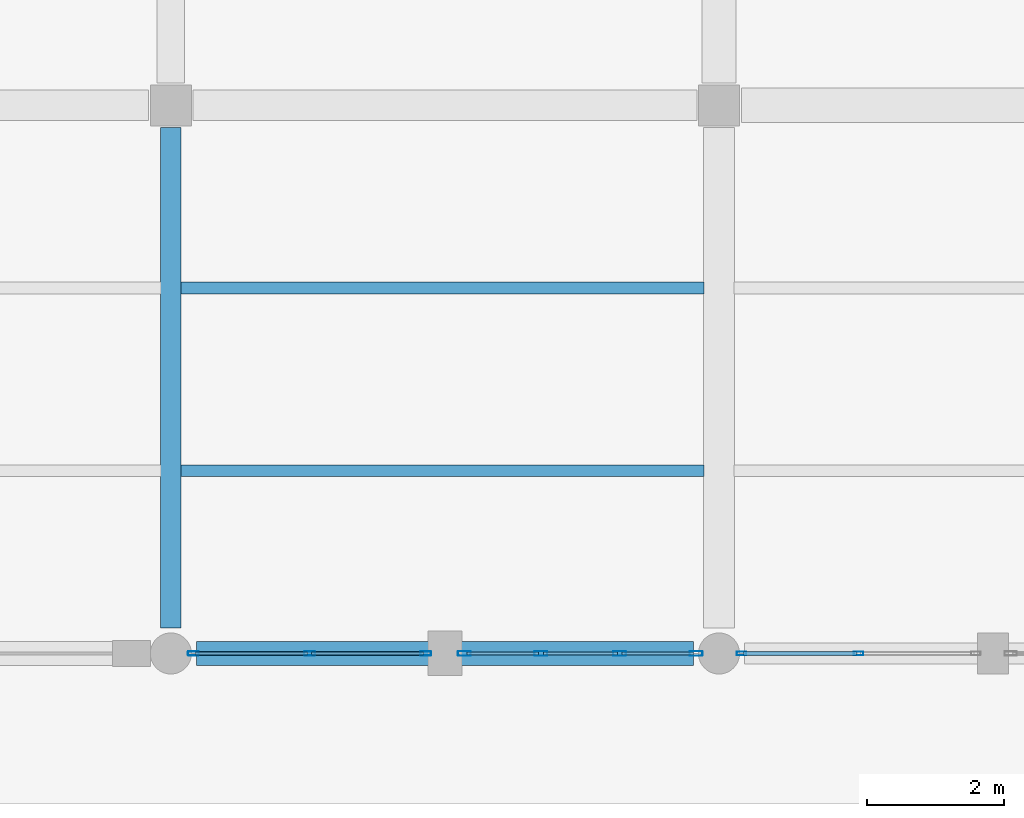
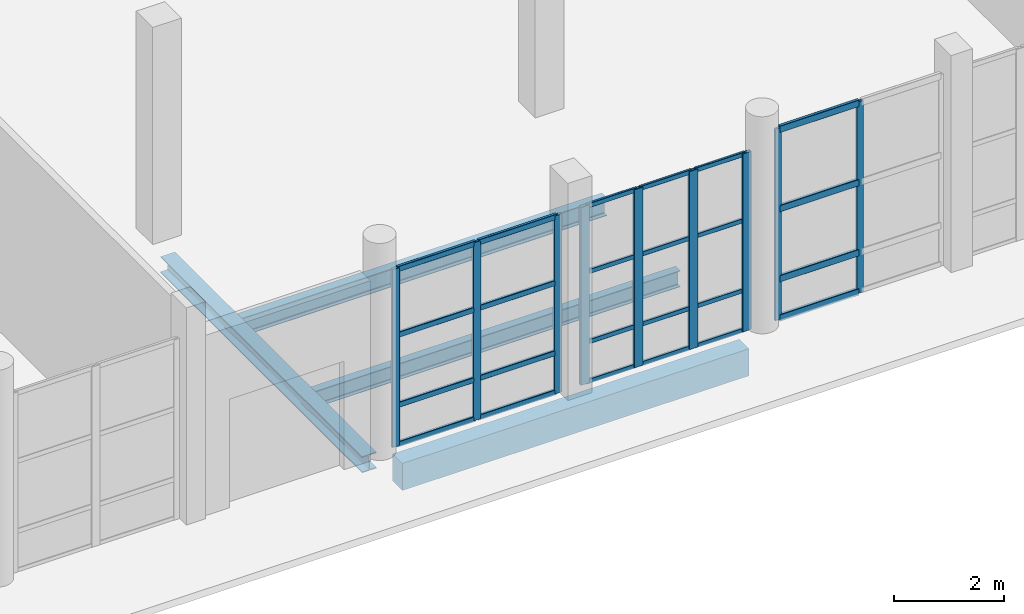
# One storey, part 61 of 156: 33 members, 4 beams, 3 elements without a shape of their own.
"""IFC4 building model written with IfcOpenShell, lengths in metres."""

from ifc_helpers import new_model, si_unit, direction, frame, origin, origin_2d, place, context, subcontext, project, spatial, rectangle, hollow_rectangle, i_section, extrude, material, material_profile, profile_set, type_object, element, aggregate, save


model = new_model("IFC4")

# Units and contexts
model_context = context("Model", 3, precision=1e-05, world=origin(), true_north=direction((0.0, 1.0)))
body_context = subcontext(model_context, "Body", "Model", "MODEL_VIEW")
ifc_project = project(units=[si_unit("LENGTHUNIT", "METRE"), si_unit("AREAUNIT", "SQUARE_METRE"), si_unit("VOLUMEUNIT", "CUBIC_METRE"), si_unit("PLANEANGLEUNIT", "RADIAN"), si_unit("MASSUNIT", "GRAM", prefix="KILO")], contexts=[model_context])

# Site, building, storey
site_placement = place(None, origin())
site = spatial("IfcSite", under=ifc_project, at=site_placement, CompositionType="ELEMENT")
building_placement = place(site_placement, origin())
building = spatial("IfcBuilding", under=site, at=building_placement, Name="Luwemba Playhouse", CompositionType="ELEMENT")
storey_placement = place(building_placement, origin())
storey = spatial("IfcBuildingStorey", under=building, at=storey_placement, Name="L00", CompositionType="ELEMENT", Elevation=0.0)

# Beams
ifc_material_1 = material(Name="Steel S355", Category="steel")
ifc_material_profile_1 = material_profile(ifc_material_1, i_section(OverallWidth=0.300048828125, OverallDepth=0.360107421875, WebThickness=0.012451171875, FlangeThickness=0.0224609375, FilletRadius=0.027099609375, at=origin_2d()))
ifc_profile_set_1 = profile_set([ifc_material_profile_1], Name="Steel S355")
beam_type_1 = type_object("IfcBeamType", Name="BM-SB09", PredefinedType="BEAM", material=ifc_profile_set_1)
beam_1_placement = place(storey_placement, frame((148.0, 3.375, -0.47998046875), z_axis=(0.0, 1.0, 0.0), x_axis=(-1.0, 0.0, 0.0)))
element("IfcBeam", 1, at=beam_1_placement, inside=storey, type_object=beam_type_1, Name="L00 transverse girder 0242", PredefinedType="BEAM", context=body_context, shape_type="SweptSolid", body=[
    extrude(i_section(OverallWidth=0.300048828125, OverallDepth=0.360107421875, WebThickness=0.012451171875, FlangeThickness=0.0224609375, FilletRadius=0.027099609375, at=origin_2d()), origin(), (0.0, 0.0, 1.0), 7.300048828125),
])
ifc_material_profile_2 = material_profile(ifc_material_1, i_section(OverallWidth=0.169921875, OverallDepth=0.360107421875, WebThickness=0.008056640625, FlangeThickness=0.0126953125, FilletRadius=0.01806640625, at=origin_2d()))
ifc_profile_set_2 = profile_set([ifc_material_profile_2], Name="Steel S355")
beam_type_2 = type_object("IfcBeamType", Name="BM-SJ07", PredefinedType="JOIST", material=ifc_profile_set_2)
beam_2_placement = place(storey_placement, frame((148.14599609375, 5.666748046875, -0.47998046875), z_axis=(1.0, 0.0, 0.0), x_axis=(0.0, 1.0, 0.0)))
element("IfcBeam", 2, at=beam_2_placement, inside=storey, type_object=beam_type_2, Name="L00 composite floor joist 0177", PredefinedType="JOIST", context=body_context, shape_type="SweptSolid", body=[
    extrude(i_section(OverallWidth=0.169921875, OverallDepth=0.360107421875, WebThickness=0.008056640625, FlangeThickness=0.0126953125, FilletRadius=0.01806640625, at=origin_2d()), origin(), (0.0, 0.0, 1.0), 7.633056640625),
])
ifc_material_profile_3 = material_profile(ifc_material_1, i_section(OverallWidth=0.179931640625, OverallDepth=0.39990234375, WebThickness=0.008544921875, FlangeThickness=0.013427734375, FilletRadius=0.02099609375, at=origin_2d()))
ifc_profile_set_3 = profile_set([ifc_material_profile_3], Name="Steel S355")
beam_type_3 = type_object("IfcBeamType", Name="BM-SJ08", PredefinedType="JOIST", material=ifc_profile_set_3)
beam_3_placement = place(storey_placement, frame((148.14599609375, 8.333251953125, -0.5), z_axis=(1.0, 0.0, 0.0), x_axis=(0.0, 1.0, 0.0)))
element("IfcBeam", 3, at=beam_3_placement, inside=storey, type_object=beam_type_3, Name="L00 composite floor joist 0178", PredefinedType="JOIST", context=body_context, shape_type="SweptSolid", body=[
    extrude(i_section(OverallWidth=0.179931640625, OverallDepth=0.39990234375, WebThickness=0.008544921875, FlangeThickness=0.013427734375, FilletRadius=0.02099609375, at=origin_2d()), origin(), (0.0, 0.0, 1.0), 7.633056640625),
])
ifc_material_2 = material(Name="Concrete C40/50", Category="concrete")
ifc_material_profile_4 = material_profile(ifc_material_2, rectangle(XDim=0.35009765625, YDim=0.60009765625, at=origin_2d()))
ifc_profile_set_4 = profile_set([ifc_material_profile_4], Name="Concrete C40/50")
beam_type_4 = type_object("IfcBeamType", Name="BM-SP3", PredefinedType="SPANDREL", material=ifc_profile_set_4)
beam_4_placement = place(storey_placement, frame((148.375, 3.0, -0.60009765625), z_axis=(1.0, 0.0, 0.0), x_axis=(0.0, 1.0, 0.0)))
element("IfcBeam", 4, at=beam_4_placement, inside=storey, type_object=beam_type_4, Name="L00 grid girder 0206", PredefinedType="SPANDREL", context=body_context, shape_type="SweptSolid", body=[
    extrude(rectangle(XDim=0.35009765625, YDim=0.60009765625, at=origin_2d()), origin(), (0.0, 0.0, 1.0), 7.25),
])

# Curtain wall, members
ifc_material_3 = material(Name="Solar-control double glazing", Category="glass")
curtain_wall_type_1 = type_object("IfcCurtainWallType", Name="CW-CW39", PredefinedType="USERDEFINED", material=ifc_material_3)
curtain_wall_1_placement = place(storey_placement, origin())
curtain_wall_1 = element("IfcCurtainWall", 5, at=curtain_wall_1_placement, inside=storey, type_object=curtain_wall_type_1, Name="L00 V5E unitised curtain wall 075", ObjectType="UNITISED GLAZING", PredefinedType="USERDEFINED")
ifc_material_4 = material(Name="Aluminium 6063-T6", Category="aluminium")
ifc_material_profile_5 = material_profile(ifc_material_4, hollow_rectangle(XDim=0.06005859375, YDim=0.159912109375, WallThickness=0.00390625, InnerFilletRadius=0.006103515625, OuterFilletRadius=0.010009765625, at=origin_2d()))
ifc_profile_set_5 = profile_set([ifc_material_profile_5], Name="Aluminium 6063-T6")
member_type_1 = type_object("IfcMemberType", Name="CWM-M1", PredefinedType="MULLION", material=ifc_profile_set_5)
member_1_placement = place(storey_placement, frame((151.719970703125, 3.0, 0.0), z_axis=(0.0, 0.0, 1.0), x_axis=(0.0, -1.0, 0.0)))
member_1 = element("IfcMember", 6, at=member_1_placement, type_object=member_type_1, Name="CW39 mullion 1", PredefinedType="MULLION", context=body_context, shape_type="SweptSolid", body=[
    extrude(hollow_rectangle(XDim=0.06005859375, YDim=0.159912109375, WallThickness=0.00390625, InnerFilletRadius=0.006103515625, OuterFilletRadius=0.010009765625, at=origin_2d()), origin(), (0.0, 0.0, 1.0), 3.93505859375),
])
member_2_placement = place(storey_placement, frame((150.02490234375, 3.0, 0.0), z_axis=(0.0, 0.0, 1.0), x_axis=(0.0, -1.0, 0.0)))
member_2 = element("IfcMember", 7, at=member_2_placement, type_object=member_type_1, Name="CW39 mullion 2", PredefinedType="MULLION", context=body_context, shape_type="SweptSolid", body=[
    extrude(hollow_rectangle(XDim=0.06005859375, YDim=0.159912109375, WallThickness=0.00390625, InnerFilletRadius=0.006103515625, OuterFilletRadius=0.010009765625, at=origin_2d()), origin(), (0.0, 0.0, 1.0), 3.93505859375),
])
member_3_placement = place(storey_placement, frame((148.330078125, 3.0, 0.0), z_axis=(0.0, 0.0, 1.0), x_axis=(0.0, -1.0, 0.0)))
member_3 = element("IfcMember", 8, at=member_3_placement, type_object=member_type_1, Name="CW39 mullion 3", PredefinedType="MULLION", context=body_context, shape_type="SweptSolid", body=[
    extrude(hollow_rectangle(XDim=0.06005859375, YDim=0.159912109375, WallThickness=0.00390625, InnerFilletRadius=0.006103515625, OuterFilletRadius=0.010009765625, at=origin_2d()), origin(), (0.0, 0.0, 1.0), 3.93505859375),
])

curtain_wall_type_2 = type_object("IfcCurtainWallType", Name="CW-CW62", PredefinedType="USERDEFINED", material=ifc_material_3)
curtain_wall_2_placement = place(storey_placement, origin())
curtain_wall_2 = element("IfcCurtainWall", 9, at=curtain_wall_2_placement, inside=storey, type_object=curtain_wall_type_2, Name="L00 V5E unitised curtain wall 073", ObjectType="UNITISED GLAZING", PredefinedType="USERDEFINED")
ifc_material_profile_6 = material_profile(ifc_material_4, hollow_rectangle(XDim=0.054931640625, YDim=0.139892578125, WallThickness=0.00390625, InnerFilletRadius=0.006103515625, OuterFilletRadius=0.010009765625, at=origin_2d()))
ifc_profile_set_6 = profile_set([ifc_material_profile_6], Name="Aluminium 6063-T6")
member_type_2 = type_object("IfcMemberType", Name="CWM-M3", PredefinedType="MULLION", material=ifc_profile_set_6)
member_4_placement = place(storey_placement, frame((158.03759765625, 3.0, 0.0), z_axis=(0.0, 0.0, 1.0), x_axis=(0.0, -1.0, 0.0)))
member_4 = element("IfcMember", 10, at=member_4_placement, type_object=member_type_2, Name="CW62 mullion 2", PredefinedType="MULLION", context=body_context, shape_type="SweptSolid", body=[
    extrude(hollow_rectangle(XDim=0.054931640625, YDim=0.139892578125, WallThickness=0.00390625, InnerFilletRadius=0.006103515625, OuterFilletRadius=0.010009765625, at=origin_2d()), origin(), (0.0, 0.0, 1.0), 4.235107421875),
])
member_5_placement = place(storey_placement, frame((156.327392578125, 3.0, 0.0), z_axis=(0.0, 0.0, 1.0), x_axis=(0.0, -1.0, 0.0)))
member_5 = element("IfcMember", 11, at=member_5_placement, type_object=member_type_2, Name="CW62 mullion 3", PredefinedType="MULLION", context=body_context, shape_type="SweptSolid", body=[
    extrude(hollow_rectangle(XDim=0.054931640625, YDim=0.139892578125, WallThickness=0.00390625, InnerFilletRadius=0.006103515625, OuterFilletRadius=0.010009765625, at=origin_2d()), origin(), (0.0, 0.0, 1.0), 4.235107421875),
])

curtain_wall_type_3 = type_object("IfcCurtainWallType", Name="CW-CW63", PredefinedType="USERDEFINED", material=ifc_material_3)
curtain_wall_3_placement = place(storey_placement, origin())
curtain_wall_3 = element("IfcCurtainWall", 12, at=curtain_wall_3_placement, inside=storey, type_object=curtain_wall_type_3, Name="L00 V5E unitised curtain wall 074", ObjectType="UNITISED GLAZING", PredefinedType="USERDEFINED")
ifc_material_profile_7 = material_profile(ifc_material_4, hollow_rectangle(XDim=0.070068359375, YDim=0.18994140625, WallThickness=0.0048828125, InnerFilletRadius=0.007568359375, OuterFilletRadius=0.012451171875, at=origin_2d()))
ifc_profile_set_7 = profile_set([ifc_material_profile_7], Name="Aluminium 6063-T6")
member_type_3 = type_object("IfcMemberType", Name="CWM-M4", PredefinedType="MULLION", material=ifc_profile_set_7)
member_6_placement = place(storey_placement, frame((155.6650390625, 3.0, 0.0), z_axis=(0.0, 0.0, 1.0), x_axis=(0.0, -1.0, 0.0)))
member_6 = element("IfcMember", 13, at=member_6_placement, type_object=member_type_3, Name="CW63 mullion 1", PredefinedType="MULLION", context=body_context, shape_type="SweptSolid", body=[
    extrude(hollow_rectangle(XDim=0.070068359375, YDim=0.18994140625, WallThickness=0.0048828125, InnerFilletRadius=0.007568359375, OuterFilletRadius=0.012451171875, at=origin_2d()), origin(), (0.0, 0.0, 1.0), 3.93505859375),
])
member_7_placement = place(storey_placement, frame((154.550048828125, 3.0, 0.0), z_axis=(0.0, 0.0, 1.0), x_axis=(0.0, -1.0, 0.0)))
member_7 = element("IfcMember", 14, at=member_7_placement, type_object=member_type_3, Name="CW63 mullion 2", PredefinedType="MULLION", context=body_context, shape_type="SweptSolid", body=[
    extrude(hollow_rectangle(XDim=0.070068359375, YDim=0.18994140625, WallThickness=0.0048828125, InnerFilletRadius=0.007568359375, OuterFilletRadius=0.012451171875, at=origin_2d()), origin(), (0.0, 0.0, 1.0), 3.93505859375),
])
member_8_placement = place(storey_placement, frame((153.39990234375, 3.0, 0.0), z_axis=(0.0, 0.0, 1.0), x_axis=(0.0, -1.0, 0.0)))
member_8 = element("IfcMember", 15, at=member_8_placement, type_object=member_type_3, Name="CW63 mullion 3", PredefinedType="MULLION", context=body_context, shape_type="SweptSolid", body=[
    extrude(hollow_rectangle(XDim=0.070068359375, YDim=0.18994140625, WallThickness=0.0048828125, InnerFilletRadius=0.007568359375, OuterFilletRadius=0.012451171875, at=origin_2d()), origin(), (0.0, 0.0, 1.0), 3.93505859375),
])
member_9_placement = place(storey_placement, frame((152.284912109375, 3.0, 0.0), z_axis=(0.0, 0.0, 1.0), x_axis=(0.0, -1.0, 0.0)))
member_9 = element("IfcMember", 16, at=member_9_placement, type_object=member_type_3, Name="CW63 mullion 4", PredefinedType="MULLION", context=body_context, shape_type="SweptSolid", body=[
    extrude(hollow_rectangle(XDim=0.070068359375, YDim=0.18994140625, WallThickness=0.0048828125, InnerFilletRadius=0.007568359375, OuterFilletRadius=0.012451171875, at=origin_2d()), origin(), (0.0, 0.0, 1.0), 3.93505859375),
])

# Member
ifc_material_profile_8 = material_profile(ifc_material_4, hollow_rectangle(XDim=0.06005859375, YDim=0.1201171875, WallThickness=0.00390625, InnerFilletRadius=0.006103515625, OuterFilletRadius=0.010009765625, at=origin_2d()))
ifc_profile_set_8 = profile_set([ifc_material_profile_8], Name="Aluminium 6063-T6")
member_type_4 = type_object("IfcMemberType", Name="CWT-T1", PredefinedType="USERDEFINED", material=ifc_profile_set_8)
member_10_placement = place(storey_placement, frame((151.68994140625, 3.0, 0.030029296875), z_axis=(-1.0, 0.0, 0.0), x_axis=(0.0, -1.0, 0.0)))
member_10 = element("IfcMember", 17, at=member_10_placement, type_object=member_type_4, Name="CW39 transom 1.1", ObjectType="TRANSOM", PredefinedType="USERDEFINED", context=body_context, shape_type="SweptSolid", body=[
    extrude(hollow_rectangle(XDim=0.06005859375, YDim=0.1201171875, WallThickness=0.00390625, InnerFilletRadius=0.006103515625, OuterFilletRadius=0.010009765625, at=origin_2d()), origin(), (0.0, 0.0, 1.0), 1.635009765625),
])

member_11_placement = place(storey_placement, frame((151.68994140625, 3.0, 0.89990234375), z_axis=(-1.0, 0.0, 0.0), x_axis=(0.0, -1.0, 0.0)))
member_11 = element("IfcMember", 18, at=member_11_placement, type_object=member_type_4, Name="CW39 transom 1.2", ObjectType="TRANSOM", PredefinedType="USERDEFINED", context=body_context, shape_type="SweptSolid", body=[
    extrude(hollow_rectangle(XDim=0.06005859375, YDim=0.1201171875, WallThickness=0.00390625, InnerFilletRadius=0.006103515625, OuterFilletRadius=0.010009765625, at=origin_2d()), origin(), (0.0, 0.0, 1.0), 1.635009765625),
])

member_12_placement = place(storey_placement, frame((151.68994140625, 3.0, 2.449951171875), z_axis=(-1.0, 0.0, 0.0), x_axis=(0.0, -1.0, 0.0)))
member_12 = element("IfcMember", 19, at=member_12_placement, type_object=member_type_4, Name="CW39 transom 1.3", ObjectType="TRANSOM", PredefinedType="USERDEFINED", context=body_context, shape_type="SweptSolid", body=[
    extrude(hollow_rectangle(XDim=0.06005859375, YDim=0.1201171875, WallThickness=0.00390625, InnerFilletRadius=0.006103515625, OuterFilletRadius=0.010009765625, at=origin_2d()), origin(), (0.0, 0.0, 1.0), 1.635009765625),
])

member_13_placement = place(storey_placement, frame((151.68994140625, 3.0, 3.905029296875), z_axis=(-1.0, 0.0, 0.0), x_axis=(0.0, -1.0, 0.0)))
member_13 = element("IfcMember", 20, at=member_13_placement, type_object=member_type_4, Name="CW39 transom 1.4", ObjectType="TRANSOM", PredefinedType="USERDEFINED", context=body_context, shape_type="SweptSolid", body=[
    extrude(hollow_rectangle(XDim=0.06005859375, YDim=0.1201171875, WallThickness=0.00390625, InnerFilletRadius=0.006103515625, OuterFilletRadius=0.010009765625, at=origin_2d()), origin(), (0.0, 0.0, 1.0), 1.635009765625),
])

member_14_placement = place(storey_placement, frame((149.9951171875, 3.0, 0.030029296875), z_axis=(-1.0, 0.0, 0.0), x_axis=(0.0, -1.0, 0.0)))
member_14 = element("IfcMember", 21, at=member_14_placement, type_object=member_type_4, Name="CW39 transom 2.1", ObjectType="TRANSOM", PredefinedType="USERDEFINED", context=body_context, shape_type="SweptSolid", body=[
    extrude(hollow_rectangle(XDim=0.06005859375, YDim=0.1201171875, WallThickness=0.00390625, InnerFilletRadius=0.006103515625, OuterFilletRadius=0.010009765625, at=origin_2d()), origin(), (0.0, 0.0, 1.0), 1.635009765625),
])

member_15_placement = place(storey_placement, frame((149.9951171875, 3.0, 0.89990234375), z_axis=(-1.0, 0.0, 0.0), x_axis=(0.0, -1.0, 0.0)))
member_15 = element("IfcMember", 22, at=member_15_placement, type_object=member_type_4, Name="CW39 transom 2.2", ObjectType="TRANSOM", PredefinedType="USERDEFINED", context=body_context, shape_type="SweptSolid", body=[
    extrude(hollow_rectangle(XDim=0.06005859375, YDim=0.1201171875, WallThickness=0.00390625, InnerFilletRadius=0.006103515625, OuterFilletRadius=0.010009765625, at=origin_2d()), origin(), (0.0, 0.0, 1.0), 1.635009765625),
])

member_16_placement = place(storey_placement, frame((149.9951171875, 3.0, 2.449951171875), z_axis=(-1.0, 0.0, 0.0), x_axis=(0.0, -1.0, 0.0)))
member_16 = element("IfcMember", 23, at=member_16_placement, type_object=member_type_4, Name="CW39 transom 2.3", ObjectType="TRANSOM", PredefinedType="USERDEFINED", context=body_context, shape_type="SweptSolid", body=[
    extrude(hollow_rectangle(XDim=0.06005859375, YDim=0.1201171875, WallThickness=0.00390625, InnerFilletRadius=0.006103515625, OuterFilletRadius=0.010009765625, at=origin_2d()), origin(), (0.0, 0.0, 1.0), 1.635009765625),
])

member_17_placement = place(storey_placement, frame((149.9951171875, 3.0, 3.905029296875), z_axis=(-1.0, 0.0, 0.0), x_axis=(0.0, -1.0, 0.0)))
member_17 = element("IfcMember", 24, at=member_17_placement, type_object=member_type_4, Name="CW39 transom 2.4", ObjectType="TRANSOM", PredefinedType="USERDEFINED", context=body_context, shape_type="SweptSolid", body=[
    extrude(hollow_rectangle(XDim=0.06005859375, YDim=0.1201171875, WallThickness=0.00390625, InnerFilletRadius=0.006103515625, OuterFilletRadius=0.010009765625, at=origin_2d()), origin(), (0.0, 0.0, 1.0), 1.635009765625),
])

aggregate(curtain_wall_1, [member_1, member_2, member_3, member_10, member_11, member_12, member_13, member_14, member_15, member_16, member_17])

ifc_material_profile_9 = material_profile(ifc_material_4, hollow_rectangle(XDim=0.06494140625, YDim=0.14990234375, WallThickness=0.00390625, InnerFilletRadius=0.006103515625, OuterFilletRadius=0.010009765625, at=origin_2d()))
ifc_profile_set_9 = profile_set([ifc_material_profile_9], Name="Aluminium 6063-T6")
member_type_5 = type_object("IfcMemberType", Name="CWT-T3", PredefinedType="USERDEFINED", material=ifc_profile_set_9)
member_18_placement = place(storey_placement, frame((158.010009765625, 3.0, 0.032470703125), z_axis=(-1.0, 0.0, 0.0), x_axis=(0.0, -1.0, 0.0)))
member_18 = element("IfcMember", 25, at=member_18_placement, type_object=member_type_5, Name="CW62 transom 2.1", ObjectType="TRANSOM", PredefinedType="USERDEFINED", context=body_context, shape_type="SweptSolid", body=[
    extrude(hollow_rectangle(XDim=0.06494140625, YDim=0.14990234375, WallThickness=0.00390625, InnerFilletRadius=0.006103515625, OuterFilletRadius=0.010009765625, at=origin_2d()), origin(), (0.0, 0.0, 1.0), 1.655029296875),
])

member_19_placement = place(storey_placement, frame((158.010009765625, 3.0, 0.89990234375), z_axis=(-1.0, 0.0, 0.0), x_axis=(0.0, -1.0, 0.0)))
member_19 = element("IfcMember", 26, at=member_19_placement, type_object=member_type_5, Name="CW62 transom 2.2", ObjectType="TRANSOM", PredefinedType="USERDEFINED", context=body_context, shape_type="SweptSolid", body=[
    extrude(hollow_rectangle(XDim=0.06494140625, YDim=0.14990234375, WallThickness=0.00390625, InnerFilletRadius=0.006103515625, OuterFilletRadius=0.010009765625, at=origin_2d()), origin(), (0.0, 0.0, 1.0), 1.655029296875),
])

member_20_placement = place(storey_placement, frame((158.010009765625, 3.0, 2.449951171875), z_axis=(-1.0, 0.0, 0.0), x_axis=(0.0, -1.0, 0.0)))
member_20 = element("IfcMember", 27, at=member_20_placement, type_object=member_type_5, Name="CW62 transom 2.3", ObjectType="TRANSOM", PredefinedType="USERDEFINED", context=body_context, shape_type="SweptSolid", body=[
    extrude(hollow_rectangle(XDim=0.06494140625, YDim=0.14990234375, WallThickness=0.00390625, InnerFilletRadius=0.006103515625, OuterFilletRadius=0.010009765625, at=origin_2d()), origin(), (0.0, 0.0, 1.0), 1.655029296875),
])

member_21_placement = place(storey_placement, frame((158.010009765625, 3.0, 4.202392578125), z_axis=(-1.0, 0.0, 0.0), x_axis=(0.0, -1.0, 0.0)))
member_21 = element("IfcMember", 28, at=member_21_placement, type_object=member_type_5, Name="CW62 transom 2.4", ObjectType="TRANSOM", PredefinedType="USERDEFINED", context=body_context, shape_type="SweptSolid", body=[
    extrude(hollow_rectangle(XDim=0.06494140625, YDim=0.14990234375, WallThickness=0.00390625, InnerFilletRadius=0.006103515625, OuterFilletRadius=0.010009765625, at=origin_2d()), origin(), (0.0, 0.0, 1.0), 1.655029296875),
])

aggregate(curtain_wall_2, [member_4, member_5, member_18, member_19, member_20, member_21])

ifc_material_profile_10 = material_profile(ifc_material_4, hollow_rectangle(XDim=0.050048828125, YDim=0.10009765625, WallThickness=0.00341796875, InnerFilletRadius=0.00537109375, OuterFilletRadius=0.0087890625, at=origin_2d()))
ifc_profile_set_10 = profile_set([ifc_material_profile_10], Name="Aluminium 6063-T6")
member_type_6 = type_object("IfcMemberType", Name="CWT-T4", PredefinedType="USERDEFINED", material=ifc_profile_set_10)
member_22_placement = place(storey_placement, frame((155.6298828125, 3.0, 0.02490234375), z_axis=(-1.0, 0.0, 0.0), x_axis=(0.0, -1.0, 0.0)))
member_22 = element("IfcMember", 29, at=member_22_placement, type_object=member_type_6, Name="CW63 transom 1.1", ObjectType="TRANSOM", PredefinedType="USERDEFINED", context=body_context, shape_type="SweptSolid", body=[
    extrude(hollow_rectangle(XDim=0.050048828125, YDim=0.10009765625, WallThickness=0.00341796875, InnerFilletRadius=0.00537109375, OuterFilletRadius=0.0087890625, at=origin_2d()), origin(), (0.0, 0.0, 1.0), 1.044921875),
])

member_23_placement = place(storey_placement, frame((155.6298828125, 3.0, 0.89990234375), z_axis=(-1.0, 0.0, 0.0), x_axis=(0.0, -1.0, 0.0)))
member_23 = element("IfcMember", 30, at=member_23_placement, type_object=member_type_6, Name="CW63 transom 1.2", ObjectType="TRANSOM", PredefinedType="USERDEFINED", context=body_context, shape_type="SweptSolid", body=[
    extrude(hollow_rectangle(XDim=0.050048828125, YDim=0.10009765625, WallThickness=0.00341796875, InnerFilletRadius=0.00537109375, OuterFilletRadius=0.0087890625, at=origin_2d()), origin(), (0.0, 0.0, 1.0), 1.044921875),
])

member_24_placement = place(storey_placement, frame((155.6298828125, 3.0, 2.449951171875), z_axis=(-1.0, 0.0, 0.0), x_axis=(0.0, -1.0, 0.0)))
member_24 = element("IfcMember", 31, at=member_24_placement, type_object=member_type_6, Name="CW63 transom 1.3", ObjectType="TRANSOM", PredefinedType="USERDEFINED", context=body_context, shape_type="SweptSolid", body=[
    extrude(hollow_rectangle(XDim=0.050048828125, YDim=0.10009765625, WallThickness=0.00341796875, InnerFilletRadius=0.00537109375, OuterFilletRadius=0.0087890625, at=origin_2d()), origin(), (0.0, 0.0, 1.0), 1.044921875),
])

member_25_placement = place(storey_placement, frame((155.6298828125, 3.0, 3.909912109375), z_axis=(-1.0, 0.0, 0.0), x_axis=(0.0, -1.0, 0.0)))
member_25 = element("IfcMember", 32, at=member_25_placement, type_object=member_type_6, Name="CW63 transom 1.4", ObjectType="TRANSOM", PredefinedType="USERDEFINED", context=body_context, shape_type="SweptSolid", body=[
    extrude(hollow_rectangle(XDim=0.050048828125, YDim=0.10009765625, WallThickness=0.00341796875, InnerFilletRadius=0.00537109375, OuterFilletRadius=0.0087890625, at=origin_2d()), origin(), (0.0, 0.0, 1.0), 1.044921875),
])

member_26_placement = place(storey_placement, frame((154.514892578125, 3.0, 0.02490234375), z_axis=(-1.0, 0.0, 0.0), x_axis=(0.0, -1.0, 0.0)))
member_26 = element("IfcMember", 33, at=member_26_placement, type_object=member_type_6, Name="CW63 transom 2.1", ObjectType="TRANSOM", PredefinedType="USERDEFINED", context=body_context, shape_type="SweptSolid", body=[
    extrude(hollow_rectangle(XDim=0.050048828125, YDim=0.10009765625, WallThickness=0.00341796875, InnerFilletRadius=0.00537109375, OuterFilletRadius=0.0087890625, at=origin_2d()), origin(), (0.0, 0.0, 1.0), 1.079833984375),
])

member_27_placement = place(storey_placement, frame((154.514892578125, 3.0, 0.89990234375), z_axis=(-1.0, 0.0, 0.0), x_axis=(0.0, -1.0, 0.0)))
member_27 = element("IfcMember", 34, at=member_27_placement, type_object=member_type_6, Name="CW63 transom 2.2", ObjectType="TRANSOM", PredefinedType="USERDEFINED", context=body_context, shape_type="SweptSolid", body=[
    extrude(hollow_rectangle(XDim=0.050048828125, YDim=0.10009765625, WallThickness=0.00341796875, InnerFilletRadius=0.00537109375, OuterFilletRadius=0.0087890625, at=origin_2d()), origin(), (0.0, 0.0, 1.0), 1.079833984375),
])

member_28_placement = place(storey_placement, frame((154.514892578125, 3.0, 2.449951171875), z_axis=(-1.0, 0.0, 0.0), x_axis=(0.0, -1.0, 0.0)))
member_28 = element("IfcMember", 35, at=member_28_placement, type_object=member_type_6, Name="CW63 transom 2.3", ObjectType="TRANSOM", PredefinedType="USERDEFINED", context=body_context, shape_type="SweptSolid", body=[
    extrude(hollow_rectangle(XDim=0.050048828125, YDim=0.10009765625, WallThickness=0.00341796875, InnerFilletRadius=0.00537109375, OuterFilletRadius=0.0087890625, at=origin_2d()), origin(), (0.0, 0.0, 1.0), 1.079833984375),
])

member_29_placement = place(storey_placement, frame((154.514892578125, 3.0, 3.909912109375), z_axis=(-1.0, 0.0, 0.0), x_axis=(0.0, -1.0, 0.0)))
member_29 = element("IfcMember", 36, at=member_29_placement, type_object=member_type_6, Name="CW63 transom 2.4", ObjectType="TRANSOM", PredefinedType="USERDEFINED", context=body_context, shape_type="SweptSolid", body=[
    extrude(hollow_rectangle(XDim=0.050048828125, YDim=0.10009765625, WallThickness=0.00341796875, InnerFilletRadius=0.00537109375, OuterFilletRadius=0.0087890625, at=origin_2d()), origin(), (0.0, 0.0, 1.0), 1.079833984375),
])

member_30_placement = place(storey_placement, frame((153.364990234375, 3.0, 0.02490234375), z_axis=(-1.0, 0.0, 0.0), x_axis=(0.0, -1.0, 0.0)))
member_30 = element("IfcMember", 37, at=member_30_placement, type_object=member_type_6, Name="CW63 transom 3.1", ObjectType="TRANSOM", PredefinedType="USERDEFINED", context=body_context, shape_type="SweptSolid", body=[
    extrude(hollow_rectangle(XDim=0.050048828125, YDim=0.10009765625, WallThickness=0.00341796875, InnerFilletRadius=0.00537109375, OuterFilletRadius=0.0087890625, at=origin_2d()), origin(), (0.0, 0.0, 1.0), 1.044921875),
])

member_31_placement = place(storey_placement, frame((153.364990234375, 3.0, 0.89990234375), z_axis=(-1.0, 0.0, 0.0), x_axis=(0.0, -1.0, 0.0)))
member_31 = element("IfcMember", 38, at=member_31_placement, type_object=member_type_6, Name="CW63 transom 3.2", ObjectType="TRANSOM", PredefinedType="USERDEFINED", context=body_context, shape_type="SweptSolid", body=[
    extrude(hollow_rectangle(XDim=0.050048828125, YDim=0.10009765625, WallThickness=0.00341796875, InnerFilletRadius=0.00537109375, OuterFilletRadius=0.0087890625, at=origin_2d()), origin(), (0.0, 0.0, 1.0), 1.044921875),
])

member_32_placement = place(storey_placement, frame((153.364990234375, 3.0, 2.449951171875), z_axis=(-1.0, 0.0, 0.0), x_axis=(0.0, -1.0, 0.0)))
member_32 = element("IfcMember", 39, at=member_32_placement, type_object=member_type_6, Name="CW63 transom 3.3", ObjectType="TRANSOM", PredefinedType="USERDEFINED", context=body_context, shape_type="SweptSolid", body=[
    extrude(hollow_rectangle(XDim=0.050048828125, YDim=0.10009765625, WallThickness=0.00341796875, InnerFilletRadius=0.00537109375, OuterFilletRadius=0.0087890625, at=origin_2d()), origin(), (0.0, 0.0, 1.0), 1.044921875),
])

member_33_placement = place(storey_placement, frame((153.364990234375, 3.0, 3.909912109375), z_axis=(-1.0, 0.0, 0.0), x_axis=(0.0, -1.0, 0.0)))
member_33 = element("IfcMember", 40, at=member_33_placement, type_object=member_type_6, Name="CW63 transom 3.4", ObjectType="TRANSOM", PredefinedType="USERDEFINED", context=body_context, shape_type="SweptSolid", body=[
    extrude(hollow_rectangle(XDim=0.050048828125, YDim=0.10009765625, WallThickness=0.00341796875, InnerFilletRadius=0.00537109375, OuterFilletRadius=0.0087890625, at=origin_2d()), origin(), (0.0, 0.0, 1.0), 1.044921875),
])

aggregate(curtain_wall_3, [member_6, member_7, member_8, member_9, member_22, member_23, member_24, member_25, member_26, member_27, member_28, member_29, member_30, member_31, member_32, member_33])

save(model, "model.ifc")
